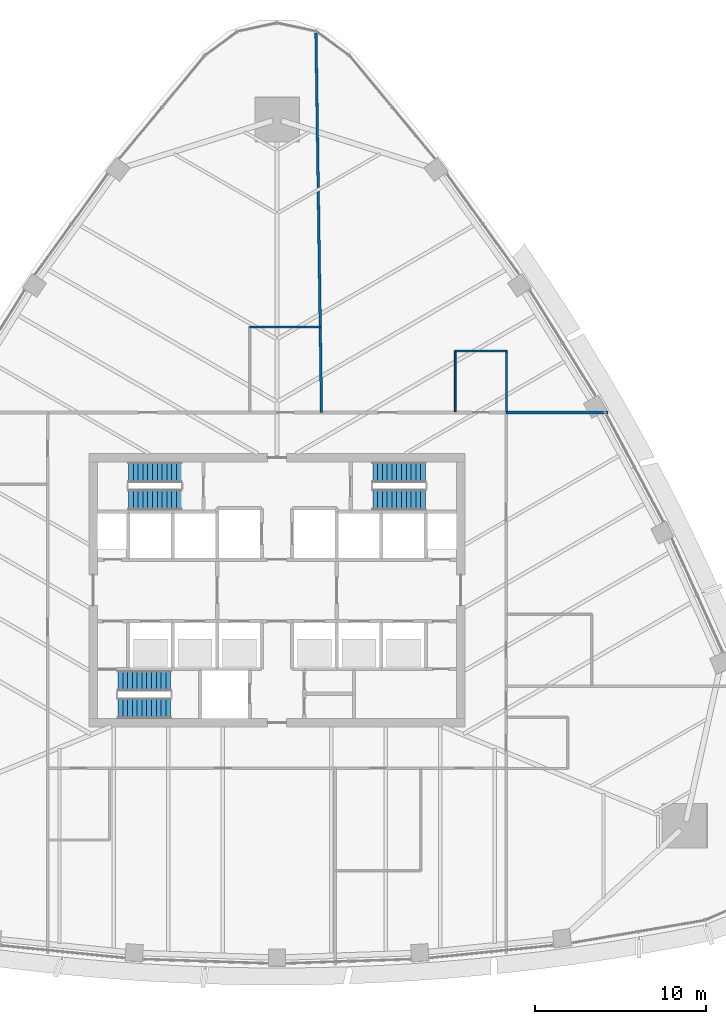
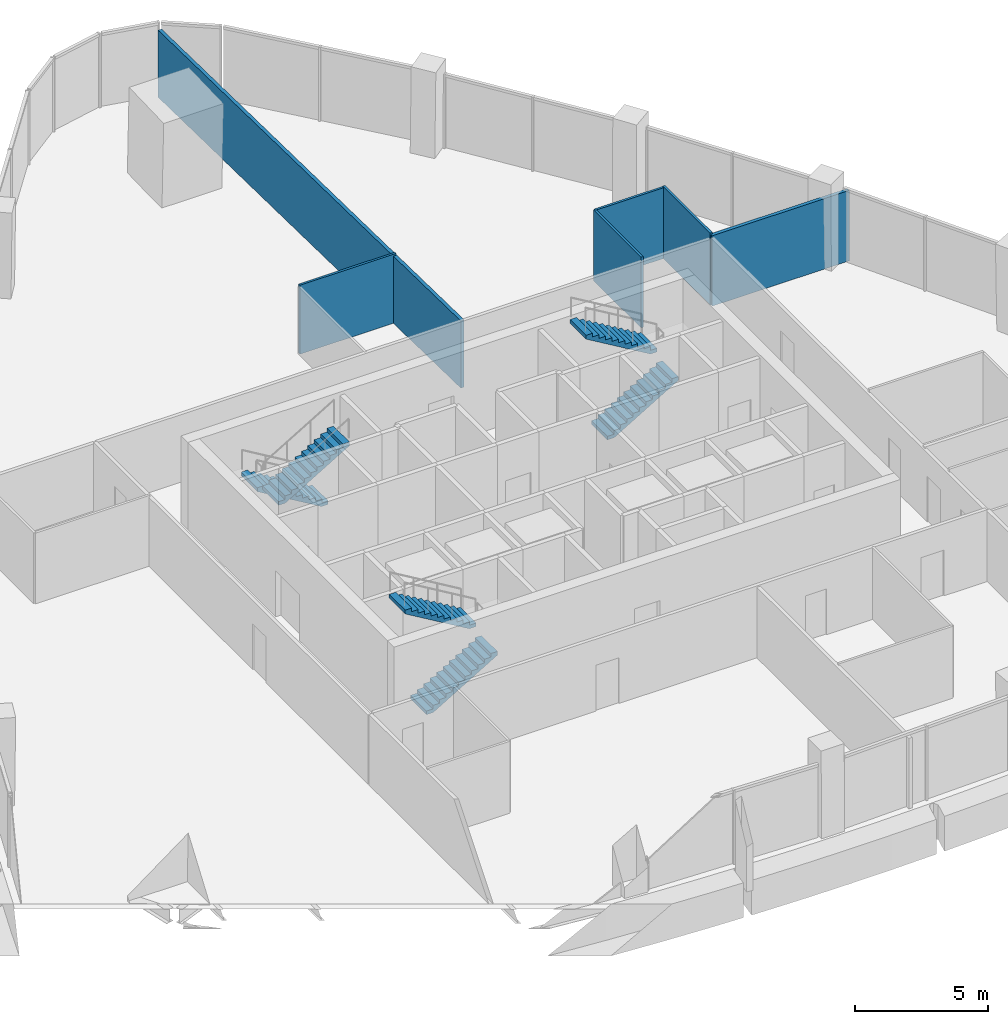
# One storey, part 12 of 17: 6 stair flights, 6 walls, 3 elements without a shape of their own.
"""IFC4 building model written with IfcOpenShell, lengths in metres."""

from ifc_helpers import new_model, si_unit, direction, frame, frame_2d, origin, place, context, subcontext, project, spatial, polyline, rectangle, outline, extrude, material, layer, layer_set, type_object, element, aggregate, save


model = new_model("IFC4")

# Units and contexts
model_context = context("Model", 3, precision=1e-05, world=origin(), true_north=direction((0.0, 1.0)))
body_context = subcontext(model_context, "Body", "Model", "MODEL_VIEW")
ifc_project = project(units=[si_unit("LENGTHUNIT", "METRE"), si_unit("AREAUNIT", "SQUARE_METRE"), si_unit("VOLUMEUNIT", "CUBIC_METRE"), si_unit("PLANEANGLEUNIT", "RADIAN"), si_unit("MASSUNIT", "GRAM", prefix="KILO")], contexts=[model_context])

# Site, building, storey
site_placement = place(None, origin())
site = spatial("IfcSite", under=ifc_project, at=site_placement, CompositionType="ELEMENT")
building_placement = place(site_placement, origin())
building = spatial("IfcBuilding", under=site, at=building_placement, Name="Sierra Prisma Convention Tower", CompositionType="ELEMENT")
storey_placement = place(building_placement, frame((0.0, 0.0, 169.800048828125)))
storey = spatial("IfcBuildingStorey", under=building, at=storey_placement, Name="L37", CompositionType="ELEMENT", Elevation=169.800048828125)

# Walls
ifc_material_1 = material(Name="Gypsum board partition", Category="gypsum")
ifc_layer_1 = layer(ifc_material_1, 0.10009765625)
ifc_layer_set_1 = layer_set([ifc_layer_1], Name="Bathroom partition 100")
wall_type_1 = type_object("IfcWallType", Name="Bathroom partition 100", PredefinedType="PARTITIONING", material=ifc_layer_set_1)
wall_1_placement = place(storey_placement, frame((-1.60009765625, 15.39990234375, 0.0), z_axis=(0.0, 0.0, 1.0), x_axis=(1.0, 0.0, 0.0)))
element("IfcWall", 1, at=wall_1_placement, inside=storey, type_object=wall_type_1, Name="Partition L37 bath 6", PredefinedType="PARTITIONING", context=body_context, shape_type="SweptSolid", body=[
    extrude(rectangle(XDim=4.170166015625, YDim=0.10009765625, at=frame_2d((2.0849609375, 0.0))), origin(), (0.0, 0.0, 1.0), 3.166015625),
])
wall_2_placement = place(storey_placement, frame((10.419921875, 10.429931640625, 0.0), z_axis=(0.0, 0.0, 1.0), x_axis=(0.0, 1.0, 0.0)))
element("IfcWall", 2, at=wall_2_placement, inside=storey, type_object=wall_type_1, Name="Partition L37 bath 9", PredefinedType="PARTITIONING", context=body_context, shape_type="SweptSolid", body=[
    extrude(rectangle(XDim=3.570068359375, YDim=0.10009765625, at=frame_2d((1.78515625, 0.0))), origin(), (0.0, 0.0, 1.0), 3.2470703125),
])
wall_3_placement = place(storey_placement, frame((10.419921875, 14.0, 0.0), z_axis=(0.0, 0.0, 1.0), x_axis=(1.0, 0.0, 0.0)))
element("IfcWall", 3, at=wall_3_placement, inside=storey, type_object=wall_type_1, Name="Partition L37 bath 10", PredefinedType="PARTITIONING", context=body_context, shape_type="SweptSolid", body=[
    extrude(rectangle(XDim=3.0, YDim=0.10009765625, at=frame_2d((1.5, 0.0))), origin(), (0.0, 0.0, 1.0), 3.2470703125),
])
wall_4_placement = place(storey_placement, frame((13.419921875, 14.0, 0.0), z_axis=(0.0, 0.0, 1.0), x_axis=(0.0, -1.0, 0.0)))
element("IfcWall", 4, at=wall_4_placement, inside=storey, type_object=wall_type_1, Name="Partition L37 bath 11", PredefinedType="PARTITIONING", context=body_context, shape_type="SweptSolid", body=[
    extrude(rectangle(XDim=3.570068359375, YDim=0.10009765625, at=frame_2d((1.78515625, 0.0))), origin(), (0.0, 0.0, 1.0), 3.300048828125),
])
ifc_material_2 = material(Name="Gypsum board partition", Category="gypsum")
ifc_layer_2 = layer(ifc_material_2, 0.14990234375)
ifc_layer_set_2 = layer_set([ifc_layer_2], Name="Party wall 150 gypsum")
wall_type_2 = type_object("IfcWallType", Name="Party wall 150 gypsum", PredefinedType="PARTITIONING", material=ifc_layer_set_2)
wall_5_placement = place(storey_placement, frame((2.60009765625, 10.39990234375, 0.0), z_axis=(0.0, 0.0, 1.0), x_axis=(-0.014582057703, 0.999893676144, 0.0)))
element("IfcWall", 5, at=wall_5_placement, inside=storey, type_object=wall_type_2, Name="Partition L37 party 3", PredefinedType="PARTITIONING", context=body_context, shape_type="SweptSolid", body=[
    extrude(rectangle(XDim=22.20068359375, YDim=0.14990234375, at=frame_2d((11.100341796875, 0.0))), origin(), (0.0, 0.0, 1.0), 3.083984375),
])
wall_6_placement = place(storey_placement, frame((13.39990234375, 10.39990234375, 0.0), z_axis=(0.0, 0.0, 1.0), x_axis=(1.0, 0.0, 0.0)))
element("IfcWall", 6, at=wall_6_placement, inside=storey, type_object=wall_type_2, Name="Partition L37 party 7", PredefinedType="PARTITIONING", context=body_context, shape_type="SweptSolid", body=[
    extrude(rectangle(XDim=5.9501953125, YDim=0.14990234375, at=frame_2d((2.97509765625, 0.0))), origin(), (0.0, 0.0, 1.0), 3.23388671875),
])

# Stair, stair flights
ifc_material_3 = material(Name="Concrete C30/37", Category="concrete")
stair_type = type_object("IfcStairType", Name="Stair dog-leg 1200 RC", PredefinedType="HALF_TURN_STAIR", material=ifc_material_3)
stair_1_placement = place(storey_placement, origin())
stair_1 = element("IfcStair", 7, at=stair_1_placement, inside=storey, type_object=stair_type, Name="L37 S1", PredefinedType="HALF_TURN_STAIR")
ifc_material_4 = material(Name="Concrete C30/37", Category="concrete")
stair_flight_type = type_object("IfcStairFlightType", Name="Stair flight RC 1200", PredefinedType="STRAIGHT", material=ifc_material_4)
stair_flight_1_placement = place(storey_placement, frame((-9.300048828125, -6.89990234375, 0.0), z_axis=(0.0, 0.0, 1.0), x_axis=(1.0, 0.0, 0.0)))
stair_flight_1 = element("IfcStairFlight", 8, at=stair_flight_1_placement, type_object=stair_flight_type, Name="S1 flight 1", NumberOfRisers=12, NumberOfTreads=11, PredefinedType="STRAIGHT", RiserHeight=0.166666667, TreadLength=0.28, context=body_context, shape_type="SweptSolid", body=[
    extrude(outline(polyline([(0.0, 0.0), (0.0, 0.166748046875), (0.280029296875, 0.166748046875), (0.280029296875, 0.333251953125), (0.56005859375, 0.333251953125), (0.56005859375, 0.5), (0.840087890625, 0.5), (0.840087890625, 0.666748046875), (1.1201171875, 0.666748046875), (1.1201171875, 0.833251953125), (1.39990234375, 0.833251953125), (1.39990234375, 1.0), (1.679931640625, 1.0), (1.679931640625, 1.166748046875), (1.9599609375, 1.166748046875), (1.9599609375, 1.333251953125), (2.239990234375, 1.333251953125), (2.239990234375, 1.5), (2.52001953125, 1.5), (2.52001953125, 1.666748046875), (2.800048828125, 1.666748046875), (2.800048828125, 1.833251953125), (3.080078125, 1.833251953125), (3.080078125, 2.0), (3.080078125, 1.658935546875), (0.29296875, 0.0), (0.0, 0.0)])), frame((0.0, 0.60009765625, 0.0), z_axis=(0.0, -1.0, 0.0), x_axis=(1.0, 0.0, 0.0)), (0.0, 0.0, 1.0), 1.199951171875),
])
stair_flight_2_placement = place(storey_placement, frame((-6.219970703125, -5.300048828125, 2.0), z_axis=(0.0, 0.0, 1.0), x_axis=(-1.0, 0.0, 0.0)))
stair_flight_2 = element("IfcStairFlight", 9, at=stair_flight_2_placement, type_object=stair_flight_type, Name="S1 flight 2", NumberOfRisers=12, NumberOfTreads=11, PredefinedType="STRAIGHT", RiserHeight=0.166666667, TreadLength=0.28, context=body_context, shape_type="SweptSolid", body=[
    extrude(outline(polyline([(0.0, 0.0), (0.0, 0.166748046875), (0.280029296875, 0.166748046875), (0.280029296875, 0.333251953125), (0.56005859375, 0.333251953125), (0.56005859375, 0.5), (0.840087890625, 0.5), (0.840087890625, 0.666748046875), (1.1201171875, 0.666748046875), (1.1201171875, 0.833251953125), (1.39990234375, 0.833251953125), (1.39990234375, 1.0), (1.679931640625, 1.0), (1.679931640625, 1.166748046875), (1.9599609375, 1.166748046875), (1.9599609375, 1.333251953125), (2.239990234375, 1.333251953125), (2.239990234375, 1.5), (2.52001953125, 1.5), (2.52001953125, 1.666748046875), (2.800048828125, 1.666748046875), (2.800048828125, 1.833251953125), (3.080078125, 1.833251953125), (3.080078125, 2.0), (3.080078125, 1.658935546875), (0.29296875, 0.0), (0.0, 0.0)])), frame((0.0, 0.60009765625, 0.0), z_axis=(0.0, -1.0, 0.0), x_axis=(1.0, 0.0, 0.0)), (0.0, 0.0, 1.0), 1.199951171875),
])
aggregate(stair_1, [stair_flight_1, stair_flight_2])

stair_2_placement = place(storey_placement, origin())
stair_2 = element("IfcStair", 10, at=stair_2_placement, inside=storey, type_object=stair_type, Name="L37 S3", PredefinedType="HALF_TURN_STAIR")
stair_flight_3_placement = place(storey_placement, frame((-5.60009765625, 6.89990234375, 0.0), z_axis=(0.0, 0.0, 1.0), x_axis=(-1.0, 0.0, 0.0)))
stair_flight_3 = element("IfcStairFlight", 11, at=stair_flight_3_placement, type_object=stair_flight_type, Name="S3 flight 1", NumberOfRisers=12, NumberOfTreads=11, PredefinedType="STRAIGHT", RiserHeight=0.166666667, TreadLength=0.28, context=body_context, shape_type="SweptSolid", body=[
    extrude(outline(polyline([(0.0, 0.0), (0.0, 0.166748046875), (0.280029296875, 0.166748046875), (0.280029296875, 0.333251953125), (0.56005859375, 0.333251953125), (0.56005859375, 0.5), (0.840087890625, 0.5), (0.840087890625, 0.666748046875), (1.1201171875, 0.666748046875), (1.1201171875, 0.833251953125), (1.39990234375, 0.833251953125), (1.39990234375, 1.0), (1.679931640625, 1.0), (1.679931640625, 1.166748046875), (1.9599609375, 1.166748046875), (1.9599609375, 1.333251953125), (2.239990234375, 1.333251953125), (2.239990234375, 1.5), (2.52001953125, 1.5), (2.52001953125, 1.666748046875), (2.800048828125, 1.666748046875), (2.800048828125, 1.833251953125), (3.080078125, 1.833251953125), (3.080078125, 2.0), (3.080078125, 1.658935546875), (0.29296875, 0.0), (0.0, 0.0)])), frame((0.0, 0.60009765625, 0.0), z_axis=(0.0, -1.0, 0.0), x_axis=(1.0, 0.0, 0.0)), (0.0, 0.0, 1.0), 1.199951171875),
])
stair_flight_4_placement = place(storey_placement, frame((-8.679931640625, 5.300048828125, 2.0), z_axis=(0.0, 0.0, 1.0), x_axis=(1.0, 0.0, 0.0)))
stair_flight_4 = element("IfcStairFlight", 12, at=stair_flight_4_placement, type_object=stair_flight_type, Name="S3 flight 2", NumberOfRisers=12, NumberOfTreads=11, PredefinedType="STRAIGHT", RiserHeight=0.166666667, TreadLength=0.28, context=body_context, shape_type="SweptSolid", body=[
    extrude(outline(polyline([(0.0, 0.0), (0.0, 0.166748046875), (0.280029296875, 0.166748046875), (0.280029296875, 0.333251953125), (0.56005859375, 0.333251953125), (0.56005859375, 0.5), (0.840087890625, 0.5), (0.840087890625, 0.666748046875), (1.1201171875, 0.666748046875), (1.1201171875, 0.833251953125), (1.39990234375, 0.833251953125), (1.39990234375, 1.0), (1.679931640625, 1.0), (1.679931640625, 1.166748046875), (1.9599609375, 1.166748046875), (1.9599609375, 1.333251953125), (2.239990234375, 1.333251953125), (2.239990234375, 1.5), (2.52001953125, 1.5), (2.52001953125, 1.666748046875), (2.800048828125, 1.666748046875), (2.800048828125, 1.833251953125), (3.080078125, 1.833251953125), (3.080078125, 2.0), (3.080078125, 1.658935546875), (0.29296875, 0.0), (0.0, 0.0)])), frame((0.0, 0.60009765625, 0.0), z_axis=(0.0, -1.0, 0.0), x_axis=(1.0, 0.0, 0.0)), (0.0, 0.0, 1.0), 1.199951171875),
])
aggregate(stair_2, [stair_flight_3, stair_flight_4])

stair_3_placement = place(storey_placement, origin())
stair_3 = element("IfcStair", 13, at=stair_3_placement, inside=storey, type_object=stair_type, Name="L37 S4", PredefinedType="HALF_TURN_STAIR")
stair_flight_5_placement = place(storey_placement, frame((5.60009765625, 5.300048828125, 0.0), z_axis=(0.0, 0.0, 1.0), x_axis=(1.0, 0.0, 0.0)))
stair_flight_5 = element("IfcStairFlight", 14, at=stair_flight_5_placement, type_object=stair_flight_type, Name="S4 flight 1", NumberOfRisers=12, NumberOfTreads=11, PredefinedType="STRAIGHT", RiserHeight=0.166666667, TreadLength=0.28, context=body_context, shape_type="SweptSolid", body=[
    extrude(outline(polyline([(0.0, 0.0), (0.0, 0.166748046875), (0.280029296875, 0.166748046875), (0.280029296875, 0.333251953125), (0.56005859375, 0.333251953125), (0.56005859375, 0.5), (0.840087890625, 0.5), (0.840087890625, 0.666748046875), (1.1201171875, 0.666748046875), (1.1201171875, 0.833251953125), (1.39990234375, 0.833251953125), (1.39990234375, 1.0), (1.679931640625, 1.0), (1.679931640625, 1.166748046875), (1.9599609375, 1.166748046875), (1.9599609375, 1.333251953125), (2.239990234375, 1.333251953125), (2.239990234375, 1.5), (2.52001953125, 1.5), (2.52001953125, 1.666748046875), (2.800048828125, 1.666748046875), (2.800048828125, 1.833251953125), (3.080078125, 1.833251953125), (3.080078125, 2.0), (3.080078125, 1.658935546875), (0.29296875, 0.0), (0.0, 0.0)])), frame((0.0, 0.60009765625, 0.0), z_axis=(0.0, -1.0, 0.0), x_axis=(1.0, 0.0, 0.0)), (0.0, 0.0, 1.0), 1.199951171875),
])
stair_flight_6_placement = place(storey_placement, frame((8.679931640625, 6.89990234375, 2.0), z_axis=(0.0, 0.0, 1.0), x_axis=(-1.0, 0.0, 0.0)))
stair_flight_6 = element("IfcStairFlight", 15, at=stair_flight_6_placement, type_object=stair_flight_type, Name="S4 flight 2", NumberOfRisers=12, NumberOfTreads=11, PredefinedType="STRAIGHT", RiserHeight=0.166666667, TreadLength=0.28, context=body_context, shape_type="SweptSolid", body=[
    extrude(outline(polyline([(0.0, 0.0), (0.0, 0.166748046875), (0.280029296875, 0.166748046875), (0.280029296875, 0.333251953125), (0.56005859375, 0.333251953125), (0.56005859375, 0.5), (0.840087890625, 0.5), (0.840087890625, 0.666748046875), (1.1201171875, 0.666748046875), (1.1201171875, 0.833251953125), (1.39990234375, 0.833251953125), (1.39990234375, 1.0), (1.679931640625, 1.0), (1.679931640625, 1.166748046875), (1.9599609375, 1.166748046875), (1.9599609375, 1.333251953125), (2.239990234375, 1.333251953125), (2.239990234375, 1.5), (2.52001953125, 1.5), (2.52001953125, 1.666748046875), (2.800048828125, 1.666748046875), (2.800048828125, 1.833251953125), (3.080078125, 1.833251953125), (3.080078125, 2.0), (3.080078125, 1.658935546875), (0.29296875, 0.0), (0.0, 0.0)])), frame((0.0, 0.60009765625, 0.0), z_axis=(0.0, -1.0, 0.0), x_axis=(1.0, 0.0, 0.0)), (0.0, 0.0, 1.0), 1.199951171875),
])
aggregate(stair_3, [stair_flight_5, stair_flight_6])

save(model, "model.ifc")
